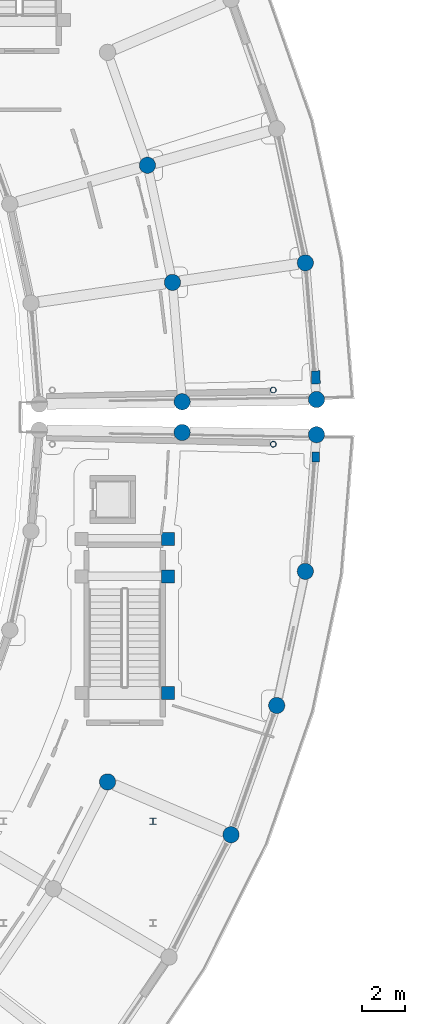
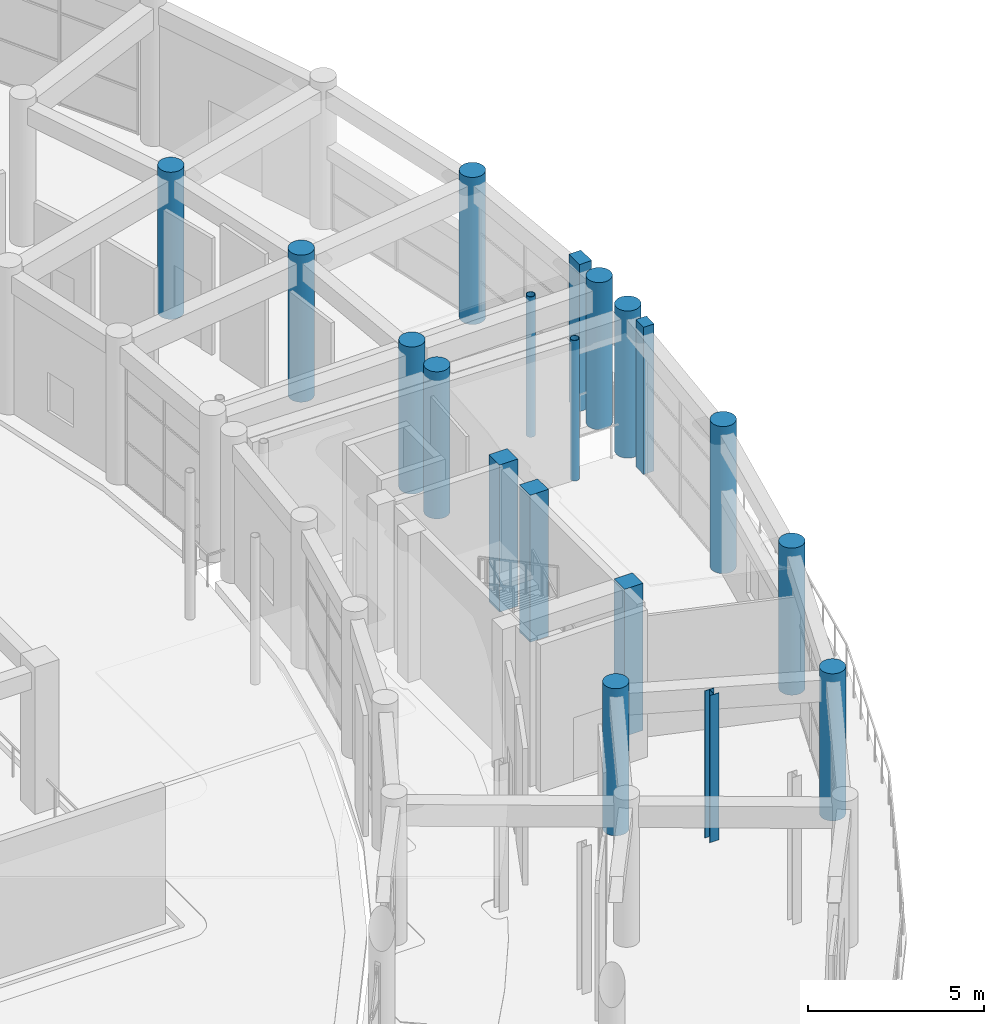
# One storey, part 14 of 99: 19 columns.
"""IFC4 building model written with IfcOpenShell, lengths in metres."""

import ifcopenshell
import ifcopenshell.guid

model = None  # the IFC model being written
_history = None  # IfcOwnerHistory: only IFC2X3 demands one
_inside = {}  # id of a spatial element -> (the spatial element, [elements in it])
_under = {}  # id of a project, library or spatial element -> (it, [spatial elements below it])
_declared = {}  # id of a project -> (the project, [libraries it declares])
_typed = {}  # id of a type object -> (the type object, [elements of that type])
_made_of = {}  # id of a material, layer set ... -> (it, [elements and type objects made of it])


def new_model(schema):
    """Start an empty IFC model of exactly this schema.

    Asked for "IFC4X3", IfcOpenShell would pick the latest addendum, in which some entities
    have other attributes; the version numbers below select the first issue.
    IFC2X3 requires an IfcOwnerHistory on every rooted entity: one is made here for all.
    """
    global model, _history
    if schema == "IFC4X3":
        model = ifcopenshell.file(schema_version=(4, 3, 0, 0))
    else:
        model = ifcopenshell.file(schema=schema)
    _inside.clear()
    _under.clear()
    _declared.clear()
    _typed.clear()
    _made_of.clear()
    _history = None
    if model.schema == "IFC2X3":
        org = make("IfcOrganization", Name="unknown")
        user = make(
            "IfcPersonAndOrganization",
            ThePerson=make("IfcPerson", FamilyName="unknown"),
            TheOrganization=org,
        )
        app = make(
            "IfcApplication",
            ApplicationDeveloper=org,
            Version="unknown",
            ApplicationFullName="unknown",
            ApplicationIdentifier="unknown",
        )
        _history = make(
            "IfcOwnerHistory",
            OwningUser=user,
            OwningApplication=app,
            ChangeAction="ADDED",
            CreationDate=0,
        )
    return model


def make(cls, **values):
    """One entity of the class cls with the attributes given. An attribute that is None is left unset."""
    return model.create_entity(
        cls, **{name: value for name, value in values.items() if value is not None}
    )


def rooted(cls, **values):
    """An entity with a GlobalId (a new one), such as an element, a storey or a relation."""
    return make(cls, GlobalId=ifcopenshell.guid.new(), OwnerHistory=_history, **values)


def si_unit(unit_type, name, prefix=None):
    """IfcSIUnit, for example si_unit("LENGTHUNIT", "METRE", prefix="MILLI")."""
    return make("IfcSIUnit", UnitType=unit_type, Prefix=prefix, Name=name)


def assignment(units):
    """IfcUnitAssignment: the units of a project."""
    return None if units is None else make("IfcUnitAssignment", Units=units)


def point(xyz):
    """IfcCartesianPoint."""
    return None if xyz is None else make("IfcCartesianPoint", Coordinates=xyz)


def direction(xyz):
    """IfcDirection."""
    return None if xyz is None else make("IfcDirection", DirectionRatios=xyz)


def frame(location, z_axis=None, x_axis=None):
    """IfcAxis2Placement3D, a coordinate frame: its origin and axes. An axis left out is left unset."""
    return make(
        "IfcAxis2Placement3D",
        Location=point(location),
        Axis=direction(z_axis),
        RefDirection=direction(x_axis),
    )


def frame_2d(location, x_axis=None):
    """IfcAxis2Placement2D, a coordinate frame in the plane: its origin and x axis."""
    return make(
        "IfcAxis2Placement2D", Location=point(location), RefDirection=direction(x_axis)
    )


def origin():
    """The frame at (0, 0, 0) with its axes left unset."""
    return frame((0.0, 0.0, 0.0))


def origin_2d():
    """The frame at (0, 0) in the plane with its x axis left unset."""
    return frame_2d((0.0, 0.0))


def place(relative_to, where):
    """IfcLocalPlacement: puts the frame where relative to a parent placement (None: the world)."""
    return make(
        "IfcLocalPlacement", PlacementRelTo=relative_to, RelativePlacement=where
    )


def context(
    kind, dimensions, precision=None, world=None, true_north=None, identifier=None
):
    """IfcGeometricRepresentationContext, for example the 3D "Model" context."""
    return make(
        "IfcGeometricRepresentationContext",
        ContextIdentifier=identifier,
        ContextType=kind,
        CoordinateSpaceDimension=dimensions,
        Precision=precision,
        WorldCoordinateSystem=world,
        TrueNorth=true_north,
    )


def subcontext(parent, identifier, kind, view, scale=None):
    """IfcGeometricRepresentationSubContext, for example "Body" below "Model"."""
    return make(
        "IfcGeometricRepresentationSubContext",
        ContextIdentifier=identifier,
        ContextType=kind,
        ParentContext=parent,
        TargetScale=scale,
        TargetView=view,
    )


def project(units=None, contexts=None):
    """IfcProject with its units and contexts."""
    return rooted(
        "IfcProject",
        Name="project",
        RepresentationContexts=contexts,
        UnitsInContext=assignment(units),
    )


def spatial(cls, under=None, at=None, **own):
    """A site, building, storey or space (cls), placed at a placement, below another one or the project."""
    s = rooted(cls, ObjectPlacement=at, **own)
    if under is not None:
        _under.setdefault(under.id(), (under, []))[1].append(s)
    return s


def profile(cls, at=None, kind="AREA", **sizes):
    """A parametric profile (cls). Its sizes go by their IFC names, for example OverallWidth=200.0."""
    return make(cls, ProfileType=kind, Position=at, **sizes)


def rectangle(**sizes):
    """IfcRectangleProfileDef."""
    return profile("IfcRectangleProfileDef", **sizes)


def circle(**sizes):
    """IfcCircleProfileDef."""
    return profile("IfcCircleProfileDef", **sizes)


def hollow_circle(**sizes):
    """IfcCircleHollowProfileDef."""
    return profile("IfcCircleHollowProfileDef", **sizes)


def i_section(**sizes):
    """IfcIShapeProfileDef."""
    return profile("IfcIShapeProfileDef", **sizes)


def extrude(swept, where, along, depth):
    """IfcExtrudedAreaSolid: the profile swept, set in the frame where, extruded along a direction by depth."""
    return make(
        "IfcExtrudedAreaSolid",
        SweptArea=swept,
        Position=where,
        ExtrudedDirection=direction(along),
        Depth=depth,
    )


def shape(context_of_items, identifier, shape_type, items):
    """IfcShapeRepresentation: the items that make up one representation, for example the "Body"."""
    return make(
        "IfcShapeRepresentation",
        ContextOfItems=context_of_items,
        RepresentationIdentifier=identifier,
        RepresentationType=shape_type,
        Items=items,
    )


def material(Name=None, Category=None):
    """IfcMaterial."""
    return make("IfcMaterial", Name=Name, Category=Category)


def material_profile(
    of_material, cross_section, Name=None, Category=None, Priority=None
):
    """IfcMaterialProfile: a cross section and its material."""
    return make(
        "IfcMaterialProfile",
        Name=Name,
        Material=of_material,
        Profile=cross_section,
        Priority=Priority,
        Category=Category,
    )


def profile_set(profiles, Name=None, composite=None):
    """IfcMaterialProfileSet."""
    return make(
        "IfcMaterialProfileSet",
        Name=Name,
        MaterialProfiles=profiles,
        CompositeProfile=composite,
    )


def made_of(thing, what):
    """Note that an element or type object is made of a material, layer set ...; save() writes the relation."""
    if what is not None:
        _made_of.setdefault(what.id(), (what, []))[1].append(thing)
    return thing


def type_object(cls, material=None, **own):
    """A type object (cls), such as IfcWallType, which elements share."""
    return made_of(rooted(cls, **own), material)


def element(
    cls,
    number,
    at=None,
    inside=None,
    cuts=None,
    type_object=None,
    material=None,
    context=None,
    identifier="Body",
    shape_type=None,
    held_by="IfcProductDefinitionShape",
    body=None,
    shapes=None,
    **own,
):
    """One element of the class cls, such as IfcWall. Its Tag is "e" and its number.

    at: its placement. inside: the storey or other place that contains it. cuts: it is an
    opening in that element (IfcRelVoidsElement). A single representation is given by context,
    identifier, shape_type and body (its items); several are given by shapes. held_by: the class
    of the entity that holds the representations. save() writes the other relations.
    """
    e = rooted(cls, Tag="e%d" % number, ObjectPlacement=at, **own)
    if body is not None:
        shapes = [shape(context, identifier, shape_type, body)]
    if shapes is not None:
        e.Representation = make(held_by, Representations=shapes)
    if inside is not None:
        _inside.setdefault(inside.id(), (inside, []))[1].append(e)
    if cuts is not None:
        rooted(
            "IfcRelVoidsElement", RelatingBuildingElement=cuts, RelatedOpeningElement=e
        )
    if type_object is not None:
        _typed.setdefault(type_object.id(), (type_object, []))[1].append(e)
    return made_of(e, material)


def aggregate(whole, parts):
    """IfcRelAggregates: a whole, such as a stair, and the parts it consists of."""
    return rooted("IfcRelAggregates", RelatingObject=whole, RelatedObjects=parts)


def save(model, path):
    """Write the relations noted so far, then the file.

    IfcRelAggregates (storeys below a building ...), IfcRelContainedInSpatialStructure (elements
    in a storey), IfcRelDefinesByType, IfcRelAssociatesMaterial and IfcRelDeclares: one each for
    every whole, place, type object, material and project.
    """
    for whole, parts in _under.values():
        aggregate(whole, parts)
    for where, things in _inside.values():
        rooted(
            "IfcRelContainedInSpatialStructure",
            RelatedElements=things,
            RelatingStructure=where,
        )
    for kind, things in _typed.values():
        rooted("IfcRelDefinesByType", RelatedObjects=things, RelatingType=kind)
    for what, things in _made_of.values():
        rooted("IfcRelAssociatesMaterial", RelatedObjects=things, RelatingMaterial=what)
    for by, libraries in _declared.values():
        rooted("IfcRelDeclares", RelatingContext=by, RelatedDefinitions=libraries)
    model.write(path)


model = new_model("IFC4")

# Units and contexts
model_context = context("Model", 3, precision=1e-05, world=origin(), true_north=direction((0.0, 1.0)))
body_context = subcontext(model_context, "Body", "Model", "MODEL_VIEW")
ifc_project = project(units=[si_unit("LENGTHUNIT", "METRE"), si_unit("AREAUNIT", "SQUARE_METRE"), si_unit("VOLUMEUNIT", "CUBIC_METRE"), si_unit("PLANEANGLEUNIT", "RADIAN"), si_unit("MASSUNIT", "GRAM", prefix="KILO")], contexts=[model_context])

# Site, building, storey
site_placement = place(None, origin())
site = spatial("IfcSite", under=ifc_project, at=site_placement, CompositionType="ELEMENT")
building_placement = place(site_placement, origin())
building = spatial("IfcBuilding", under=site, at=building_placement, Name="Saryqyr Civic Hall", CompositionType="ELEMENT")
storey_placement = place(building_placement, origin())
storey = spatial("IfcBuildingStorey", under=building, at=storey_placement, Name="L00", CompositionType="ELEMENT", Elevation=0.0)

# Columns
ifc_material_1 = material(Name="Steel S355", Category="steel")
ifc_material_profile_1 = material_profile(ifc_material_1, hollow_circle(Radius=0.136474609375, WallThickness=0.01611328125, at=origin_2d()), Name="CHS 273x16")
ifc_profile_set_1 = profile_set([ifc_material_profile_1], Name="Steel S355")
column_type_1 = type_object("IfcColumnType", Name="STR-COL-CHS273-S355", PredefinedType="COLUMN", material=ifc_profile_set_1)
for number, where, z_axis, x_axis, name in (
    (1, (104.0, 82.75, 0.0), (0.0, 0.0, 1.0), (1.0, 0.0, 0.0), "Column BRCOL-BR-E-2-L00"),
    (2, (104.0, 85.25, 0.0), (0.0, 0.0, 1.0), (1.0, 0.0, 0.0), "Column BRCOL-BR-E-3-L00"),
):
    element("IfcColumn", number, at=place(storey_placement, frame(where, z_axis=z_axis, x_axis=x_axis)), inside=storey, type_object=column_type_1, Name=name, PredefinedType="COLUMN", context=body_context, shape_type="SweptSolid", body=[
        extrude(hollow_circle(Radius=0.136474609375, WallThickness=0.01611328125, at=origin_2d()), origin(), (0.0, 0.0, 1.0), 4.8701171875),
    ])
ifc_material_profile_2 = material_profile(ifc_material_1, i_section(OverallWidth=0.300048828125, OverallDepth=0.2900390625, WebThickness=0.008544921875, FlangeThickness=0.013916015625, at=origin_2d()), Name="HEA 300")
ifc_profile_set_2 = profile_set([ifc_material_profile_2], Name="Steel S355")
column_type_2 = type_object("IfcColumnType", Name="STR-COL-HEA300-S355", PredefinedType="COLUMN", material=ifc_profile_set_2)
column_1_placement = place(storey_placement, frame((98.449951171875, 65.35009765625, 0.0), z_axis=(0.0, 0.0, 1.0), x_axis=(1.0, 0.0, 0.0)))
element("IfcColumn", 3, at=column_1_placement, inside=storey, type_object=column_type_2, Name="Column RGV5-COL-3-L00", PredefinedType="COLUMN", context=body_context, shape_type="SweptSolid", body=[
    extrude(i_section(OverallWidth=0.300048828125, OverallDepth=0.2900390625, WebThickness=0.008544921875, FlangeThickness=0.013916015625, at=origin_2d()), origin(), (0.0, 0.0, 1.0), 5.10009765625),
])
ifc_material_2 = material(Name="Concrete C40/50", Category="concrete")
ifc_material_profile_3 = material_profile(ifc_material_2, rectangle(XDim=0.60009765625, YDim=0.60009765625, at=origin_2d()), Name="RC 600x600")
ifc_profile_set_3 = profile_set([ifc_material_profile_3], Name="Concrete C40/50")
column_type_3 = type_object("IfcColumnType", Name="STR-COL-RC600-C40", PredefinedType="COLUMN", material=ifc_profile_set_3)
for number, where, z_axis, x_axis, name in (
    (4, (99.139892578125, 71.27490234375, 0.0), (0.0, 0.0, 1.0), (1.0, 0.0, 0.0), "Column ST-5-SCOL-TRMA-L00"),
    (5, (99.139892578125, 76.64990234375, 0.0), (0.0, 0.0, 1.0), (1.0, 0.0, 0.0), "Column ST-5-SCOL-LND1A-L00"),
    (6, (99.139892578125, 78.3798828125, 0.0), (0.0, 0.0, 1.0), (1.0, 0.0, 0.0), "Column ST-5-SCOL-LND2A-L00"),
):
    element("IfcColumn", number, at=place(storey_placement, frame(where, z_axis=z_axis, x_axis=x_axis)), inside=storey, type_object=column_type_3, Name=name, PredefinedType="COLUMN", context=body_context, shape_type="SweptSolid", body=[
        extrude(rectangle(XDim=0.60009765625, YDim=0.60009765625, at=origin_2d()), origin(), (0.0, 0.0, 1.0), 5.10009765625),
    ])
ifc_material_profile_4 = material_profile(ifc_material_2, circle(Radius=0.375, at=origin_2d()), Name="RC D750")
ifc_profile_set_4 = profile_set([ifc_material_profile_4], Name="Concrete C40/50")
column_type_4 = type_object("IfcColumnType", Name="STR-COL-RCD750-EXT", PredefinedType="COLUMN", material=ifc_profile_set_4)
for number, where, z_axis, x_axis, name in (
    (7, (102.04931640625, 64.724365234375, 0.0), (0.0, 0.0, 1.0), (0.919410138581, -0.393300136124, 0.0), "Column V5-COL-OUT07-L00"),
    (8, (104.157958984375, 70.691162109375, 0.0), (0.0, 0.0, 1.0), (0.962407846499, -0.271608425858, 0.0), "Column V5-COL-OUT08-L00"),
    (9, (105.47998046875, 76.8798828125, 0.0), (0.0, 0.0, 1.0), (0.989374077068, -0.145392350643, 0.0), "Column V5-COL-OUT09-L00"),
    (10, (105.993408203125, 83.1875, 0.0), (0.0, 0.0, 1.0), (0.999862544538, -0.016579868188, 0.0), "Column V5-COL-OUT10-L00"),
    (11, (105.993408203125, 84.8125, 0.0), (0.0, 0.0, 1.0), (0.999862544538, 0.016579868188, 0.0), "Column V6-COL-OUT00-L00"),
    (12, (105.47998046875, 91.1201171875, 0.0), (0.0, 0.0, 1.0), (0.989399437751, 0.145219670077, 0.0), "Column V6-COL-OUT01-L00"),
):
    element("IfcColumn", number, at=place(storey_placement, frame(where, z_axis=z_axis, x_axis=x_axis)), inside=storey, type_object=column_type_4, Name=name, PredefinedType="COLUMN", context=body_context, shape_type="SweptSolid", body=[
        extrude(circle(Radius=0.375, at=origin_2d()), origin(), (0.0, 0.0, 1.0), 5.10009765625),
    ])
ifc_material_profile_5 = material_profile(ifc_material_2, circle(Radius=0.375, at=origin_2d()), Name="RC D750")
ifc_profile_set_5 = profile_set([ifc_material_profile_5], Name="Concrete C40/50")
column_type_5 = type_object("IfcColumnType", Name="STR-COL-RCD750-INT", PredefinedType="COLUMN", material=ifc_profile_set_5)
for number, where, z_axis, x_axis, name in (
    (13, (96.349365234375, 67.163330078125, 0.0), (0.0, 0.0, 1.0), (0.919410138581, -0.393300136124, 0.0), "Column V5-COL-MID07-L00"),
    (14, (99.794189453125, 83.290283203125, 0.0), (0.0, 0.0, 1.0), (0.999862544538, -0.016579868188, 0.0), "Column V5-COL-MID10-L00"),
    (15, (99.794189453125, 84.709716796875, 0.0), (0.0, 0.0, 1.0), (0.999862544538, 0.016579868188, 0.0), "Column V6-COL-MID00-L00"),
    (16, (99.345703125, 90.218994140625, 0.0), (0.0, 0.0, 1.0), (0.989399437751, 0.145219670077, 0.0), "Column V6-COL-MID01-L00"),
    (17, (98.191162109375, 95.624755859375, 0.0), (0.0, 0.0, 1.0), (0.962407846499, 0.271608425858, 0.0), "Column V6-COL-MID02-L00"),
):
    element("IfcColumn", number, at=place(storey_placement, frame(where, z_axis=z_axis, x_axis=x_axis)), inside=storey, type_object=column_type_5, Name=name, PredefinedType="COLUMN", context=body_context, shape_type="SweptSolid", body=[
        extrude(circle(Radius=0.375, at=origin_2d()), origin(), (0.0, 0.0, 1.0), 5.10009765625),
    ])
ifc_material_3 = material(Name="Concrete C35/45", Category="concrete")
ifc_material_profile_6 = material_profile(ifc_material_3, rectangle(XDim=0.35009765625, YDim=0.449951171875, at=origin_2d()), Name="RC 350x450")
ifc_profile_set_6 = profile_set([ifc_material_profile_6], Name="Concrete C35/45")
column_type_6 = type_object("IfcColumnType", Name="STR-PIL-RC350x450-EXT", PredefinedType="PILASTER", material=ifc_profile_set_6)
column_2_placement = place(storey_placement, frame((105.965576171875, 82.16162109375, 0.0), z_axis=(0.0, 0.0, 1.0), x_axis=(0.999862544538, -0.016579868188, 0.0)))
element("IfcColumn", 18, at=column_2_placement, inside=storey, type_object=column_type_6, Name="Column V5-PIL-10-L00", PredefinedType="PILASTER", context=body_context, shape_type="SweptSolid", body=[
    extrude(rectangle(XDim=0.35009765625, YDim=0.449951171875, at=origin_2d()), origin(), (0.0, 0.0, 1.0), 5.10009765625),
])
ifc_material_profile_7 = material_profile(ifc_material_2, rectangle(XDim=0.39990234375, YDim=0.60009765625, at=origin_2d()), Name="RC 400x600")
ifc_profile_set_7 = profile_set([ifc_material_profile_7], Name="Concrete C40/50")
column_type_7 = type_object("IfcColumnType", Name="STR-PIL-RC400x600-EXT", PredefinedType="PILASTER", material=ifc_profile_set_7)
column_3_placement = place(storey_placement, frame((105.965576171875, 85.83837890625, 0.0), z_axis=(0.0, 0.0, 1.0), x_axis=(0.999862544538, 0.016579868188, 0.0)))
element("IfcColumn", 19, at=column_3_placement, inside=storey, type_object=column_type_7, Name="Column V6-PIL-00-L00", PredefinedType="PILASTER", context=body_context, shape_type="SweptSolid", body=[
    extrude(rectangle(XDim=0.39990234375, YDim=0.60009765625, at=origin_2d()), origin(), (0.0, 0.0, 1.0), 5.10009765625),
])

save(model, "model.ifc")
